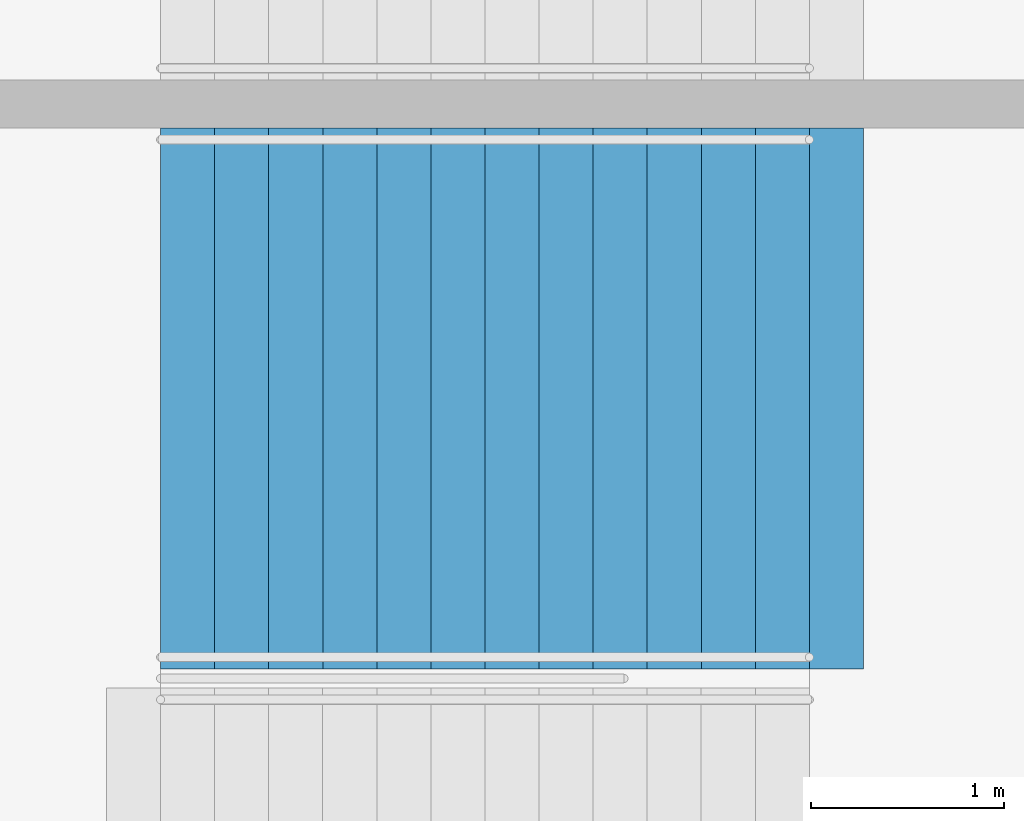
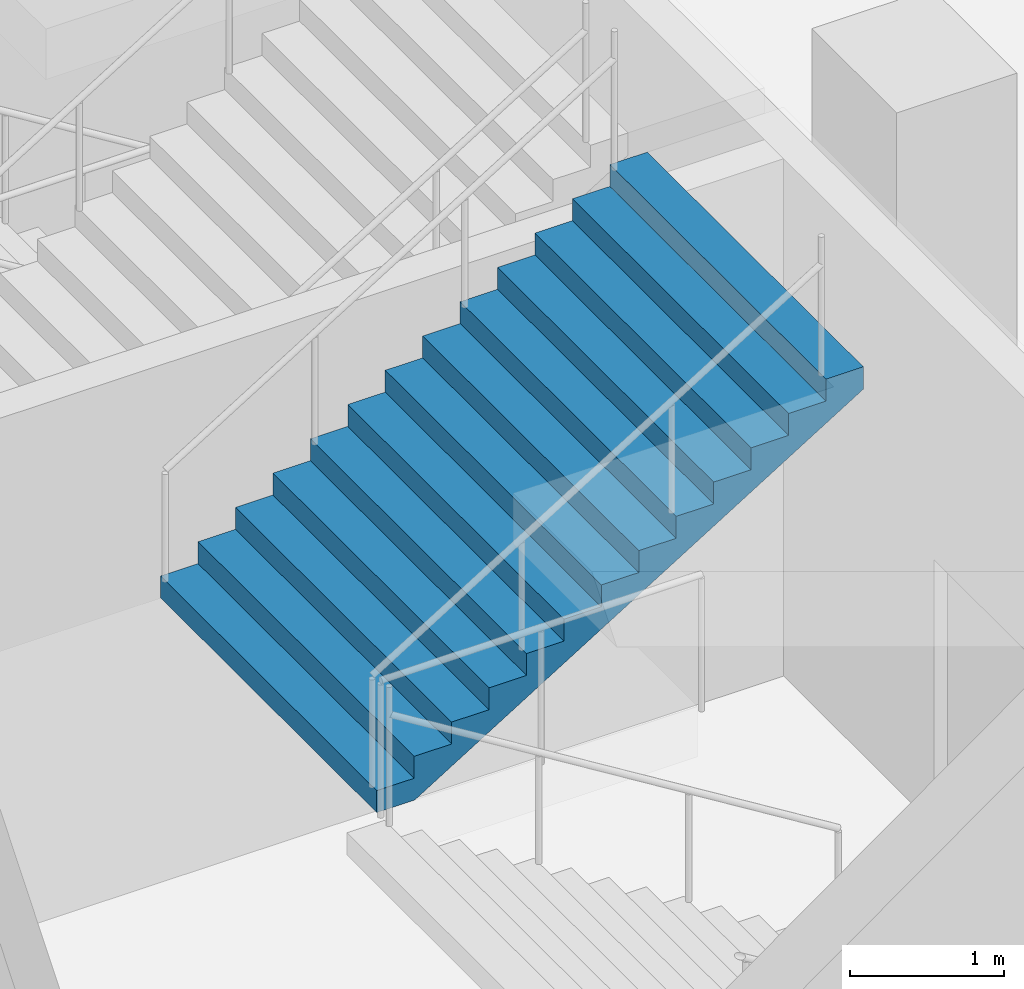
# One storey, part 110 of 175: 1 stair flight, 1 element without a shape of its own.
"""IFC4 building model written with IfcOpenShell, lengths in metres."""

from ifc_helpers import new_model, si_unit, direction, frame, origin, place, context, subcontext, project, spatial, faceted_brep, material, type_object, element, aggregate, save


model = new_model("IFC4")

# Units and contexts
model_context = context("Model", 3, precision=1e-05, world=origin(), true_north=direction((0.0, 1.0)))
body_context = subcontext(model_context, "Body", "Model", "MODEL_VIEW")
ifc_project = project(units=[si_unit("LENGTHUNIT", "METRE"), si_unit("AREAUNIT", "SQUARE_METRE"), si_unit("VOLUMEUNIT", "CUBIC_METRE"), si_unit("PLANEANGLEUNIT", "RADIAN"), si_unit("MASSUNIT", "GRAM", prefix="KILO")], contexts=[model_context])

# Site, building, storey
site_placement = place(None, origin())
site = spatial("IfcSite", under=ifc_project, at=site_placement, CompositionType="ELEMENT")
building_placement = place(site_placement, origin())
building = spatial("IfcBuilding", under=site, at=building_placement, Name="Ogive Plaza Stadium", CompositionType="ELEMENT")
storey_placement = place(building_placement, origin())
storey = spatial("IfcBuildingStorey", under=building, at=storey_placement, Name="L00", CompositionType="ELEMENT", Elevation=0.0)

# Stair, stair flight
ifc_material_1 = material(Name="Concrete C40/50", Category="concrete")
stair_type = type_object("IfcStairType", Name="Exit stair", PredefinedType="STRAIGHT_RUN_STAIR", material=ifc_material_1)
stair_placement = place(storey_placement, origin())
stair = element("IfcStair", 1, at=stair_placement, inside=storey, type_object=stair_type, Name="Exit stair ST28B L00 to L01", PredefinedType="STRAIGHT_RUN_STAIR")
ifc_material_2 = material(Name="Concrete C40/50", Category="concrete")
stair_flight_type = type_object("IfcStairFlightType", Name="Exit stair flight", PredefinedType="STRAIGHT", material=ifc_material_2)
stair_flight_placement = place(storey_placement, frame((-79.7099609375, 50.97509765625, 2.25), z_axis=(0.0, 0.0, 1.0), x_axis=(1.0, 0.0, 0.0)))
stair_flight = element("IfcStairFlight", 2, at=stair_flight_placement, type_object=stair_flight_type, Name="ST28B flight 2", NumberOfRisers=13, NumberOfTreads=12, PredefinedType="STRAIGHT", RiserHeight=0.173076923, TreadLength=0.28, context=body_context, shape_type="Brep", body=[
    faceted_brep([(0.28515625, -1.39990234375, 0.0), (3.639892578125, -1.39990234375, 2.07373046875), (3.639892578125, -1.39990234375, 2.25), (3.360107421875, -1.39990234375, 2.25), (3.360107421875, -1.39990234375, 2.076904296875), (3.080078125, -1.39990234375, 2.076904296875), (3.080078125, -1.39990234375, 1.90380859375), (2.800048828125, -1.39990234375, 1.90380859375), (2.800048828125, -1.39990234375, 1.730712890625), (2.52001953125, -1.39990234375, 1.730712890625), (2.52001953125, -1.39990234375, 1.5576171875), (2.239990234375, -1.39990234375, 1.5576171875), (2.239990234375, -1.39990234375, 1.384521484375), (1.9599609375, -1.39990234375, 1.384521484375), (1.9599609375, -1.39990234375, 1.21142578125), (1.679931640625, -1.39990234375, 1.21142578125), (1.679931640625, -1.39990234375, 1.03857421875), (1.39990234375, -1.39990234375, 1.03857421875), (1.39990234375, -1.39990234375, 0.865478515625), (1.1201171875, -1.39990234375, 0.865478515625), (1.1201171875, -1.39990234375, 0.6923828125), (0.840087890625, -1.39990234375, 0.6923828125), (0.840087890625, -1.39990234375, 0.519287109375), (0.56005859375, -1.39990234375, 0.519287109375), (0.56005859375, -1.39990234375, 0.34619140625), (0.280029296875, -1.39990234375, 0.34619140625), (0.280029296875, -1.39990234375, 0.173095703125), (0.0, -1.39990234375, 0.173095703125), (0.0, -1.39990234375, 0.0), (0.0, 1.39990234375, 0.0), (0.0, 1.39990234375, 0.173095703125), (0.280029296875, 1.39990234375, 0.173095703125), (0.280029296875, 1.39990234375, 0.34619140625), (0.56005859375, 1.39990234375, 0.34619140625), (0.56005859375, 1.39990234375, 0.519287109375), (0.840087890625, 1.39990234375, 0.519287109375), (0.840087890625, 1.39990234375, 0.6923828125), (1.1201171875, 1.39990234375, 0.6923828125), (1.1201171875, 1.39990234375, 0.865478515625), (1.39990234375, 1.39990234375, 0.865478515625), (1.39990234375, 1.39990234375, 1.03857421875), (1.679931640625, 1.39990234375, 1.03857421875), (1.679931640625, 1.39990234375, 1.21142578125), (1.9599609375, 1.39990234375, 1.21142578125), (1.9599609375, 1.39990234375, 1.384521484375), (2.239990234375, 1.39990234375, 1.384521484375), (2.239990234375, 1.39990234375, 1.5576171875), (2.52001953125, 1.39990234375, 1.5576171875), (2.52001953125, 1.39990234375, 1.730712890625), (2.800048828125, 1.39990234375, 1.730712890625), (2.800048828125, 1.39990234375, 1.90380859375), (3.080078125, 1.39990234375, 1.90380859375), (3.080078125, 1.39990234375, 2.076904296875), (3.360107421875, 1.39990234375, 2.076904296875), (3.360107421875, 1.39990234375, 2.25), (3.639892578125, 1.39990234375, 2.25), (3.639892578125, 1.39990234375, 2.07373046875), (0.28515625, 1.39990234375, 0.0), (0.28515625, -1.0888671875, 0.0), (3.639892578125, -1.0888671875, 2.07373046875), (0.28515625, -0.77783203125, 0.0), (3.639892578125, -0.77783203125, 2.07373046875), (0.28515625, -0.466796875, 0.0), (3.639892578125, -0.466796875, 2.07373046875), (0.28515625, -0.155517578125, 0.0), (3.639892578125, -0.155517578125, 2.07373046875), (0.28515625, 0.155517578125, 0.0), (3.639892578125, 0.155517578125, 2.07373046875), (0.28515625, 0.466796875, 0.0), (3.639892578125, 0.466796875, 2.07373046875), (0.28515625, 0.77783203125, 0.0), (3.639892578125, 0.77783203125, 2.07373046875), (0.28515625, 1.0888671875, 0.0), (3.639892578125, 1.0888671875, 2.07373046875), (3.639892578125, -1.0888671875, 2.25), (3.639892578125, -0.77783203125, 2.25), (3.639892578125, -0.466796875, 2.25), (3.639892578125, -0.155517578125, 2.25), (3.639892578125, 0.155517578125, 2.25), (3.639892578125, 0.466796875, 2.25), (3.639892578125, 0.77783203125, 2.25), (3.639892578125, 1.0888671875, 2.25), (3.360107421875, -1.0888671875, 2.25), (3.360107421875, -0.77783203125, 2.25), (3.360107421875, -0.466796875, 2.25), (3.360107421875, -0.155517578125, 2.25), (3.360107421875, 0.155517578125, 2.25), (3.360107421875, 0.466796875, 2.25), (3.360107421875, 0.77783203125, 2.25), (3.360107421875, 1.0888671875, 2.25), (3.360107421875, -1.0888671875, 2.076904296875), (3.360107421875, -0.77783203125, 2.076904296875), (3.360107421875, -0.466796875, 2.076904296875), (3.360107421875, -0.155517578125, 2.076904296875), (3.360107421875, 0.155517578125, 2.076904296875), (3.360107421875, 0.466796875, 2.076904296875), (3.360107421875, 0.77783203125, 2.076904296875), (3.360107421875, 1.0888671875, 2.076904296875), (3.080078125, -1.0888671875, 2.076904296875), (3.080078125, -0.77783203125, 2.076904296875), (3.080078125, -0.466796875, 2.076904296875), (3.080078125, -0.155517578125, 2.076904296875), (3.080078125, 0.155517578125, 2.076904296875), (3.080078125, 0.466796875, 2.076904296875), (3.080078125, 0.77783203125, 2.076904296875), (3.080078125, 1.0888671875, 2.076904296875), (3.080078125, -1.0888671875, 1.90380859375), (3.080078125, -0.77783203125, 1.90380859375), (3.080078125, -0.466796875, 1.90380859375), (3.080078125, -0.155517578125, 1.90380859375), (3.080078125, 0.155517578125, 1.90380859375), (3.080078125, 0.466796875, 1.90380859375), (3.080078125, 0.77783203125, 1.90380859375), (3.080078125, 1.0888671875, 1.90380859375), (2.800048828125, -1.0888671875, 1.90380859375), (2.800048828125, -0.77783203125, 1.90380859375), (2.800048828125, -0.466796875, 1.90380859375), (2.800048828125, -0.155517578125, 1.90380859375), (2.800048828125, 0.155517578125, 1.90380859375), (2.800048828125, 0.466796875, 1.90380859375), (2.800048828125, 0.77783203125, 1.90380859375), (2.800048828125, 1.0888671875, 1.90380859375), (2.800048828125, -1.0888671875, 1.730712890625), (2.800048828125, -0.77783203125, 1.730712890625), (2.800048828125, -0.466796875, 1.730712890625), (2.800048828125, -0.155517578125, 1.730712890625), (2.800048828125, 0.155517578125, 1.730712890625), (2.800048828125, 0.466796875, 1.730712890625), (2.800048828125, 0.77783203125, 1.730712890625), (2.800048828125, 1.0888671875, 1.730712890625), (2.52001953125, -1.0888671875, 1.730712890625), (2.52001953125, -0.77783203125, 1.730712890625), (2.52001953125, -0.466796875, 1.730712890625), (2.52001953125, -0.155517578125, 1.730712890625), (2.52001953125, 0.155517578125, 1.730712890625), (2.52001953125, 0.466796875, 1.730712890625), (2.52001953125, 0.77783203125, 1.730712890625), (2.52001953125, 1.0888671875, 1.730712890625), (2.52001953125, -1.0888671875, 1.5576171875), (2.52001953125, -0.77783203125, 1.5576171875), (2.52001953125, -0.466796875, 1.5576171875), (2.52001953125, -0.155517578125, 1.5576171875), (2.52001953125, 0.155517578125, 1.5576171875), (2.52001953125, 0.466796875, 1.5576171875), (2.52001953125, 0.77783203125, 1.5576171875), (2.52001953125, 1.0888671875, 1.5576171875), (2.239990234375, -1.0888671875, 1.5576171875), (2.239990234375, -0.77783203125, 1.5576171875), (2.239990234375, -0.466796875, 1.5576171875), (2.239990234375, -0.155517578125, 1.5576171875), (2.239990234375, 0.155517578125, 1.5576171875), (2.239990234375, 0.466796875, 1.5576171875), (2.239990234375, 0.77783203125, 1.5576171875), (2.239990234375, 1.0888671875, 1.5576171875), (2.239990234375, -1.0888671875, 1.384521484375), (2.239990234375, -0.77783203125, 1.384521484375), (2.239990234375, -0.466796875, 1.384521484375), (2.239990234375, -0.155517578125, 1.384521484375), (2.239990234375, 0.155517578125, 1.384521484375), (2.239990234375, 0.466796875, 1.384521484375), (2.239990234375, 0.77783203125, 1.384521484375), (2.239990234375, 1.0888671875, 1.384521484375), (1.9599609375, -1.0888671875, 1.384521484375), (1.9599609375, -0.77783203125, 1.384521484375), (1.9599609375, -0.466796875, 1.384521484375), (1.9599609375, -0.155517578125, 1.384521484375), (1.9599609375, 0.155517578125, 1.384521484375), (1.9599609375, 0.466796875, 1.384521484375), (1.9599609375, 0.77783203125, 1.384521484375), (1.9599609375, 1.0888671875, 1.384521484375), (1.9599609375, -1.0888671875, 1.21142578125), (1.9599609375, -0.77783203125, 1.21142578125), (1.9599609375, -0.466796875, 1.21142578125), (1.9599609375, -0.155517578125, 1.21142578125), (1.9599609375, 0.155517578125, 1.21142578125), (1.9599609375, 0.466796875, 1.21142578125), (1.9599609375, 0.77783203125, 1.21142578125), (1.9599609375, 1.0888671875, 1.21142578125), (1.679931640625, -1.0888671875, 1.21142578125), (1.679931640625, -0.77783203125, 1.21142578125), (1.679931640625, -0.466796875, 1.21142578125), (1.679931640625, -0.155517578125, 1.21142578125), (1.679931640625, 0.155517578125, 1.21142578125), (1.679931640625, 0.466796875, 1.21142578125), (1.679931640625, 0.77783203125, 1.21142578125), (1.679931640625, 1.0888671875, 1.21142578125), (1.679931640625, -1.0888671875, 1.03857421875), (1.679931640625, -0.77783203125, 1.03857421875), (1.679931640625, -0.466796875, 1.03857421875), (1.679931640625, -0.155517578125, 1.03857421875), (1.679931640625, 0.155517578125, 1.03857421875), (1.679931640625, 0.466796875, 1.03857421875), (1.679931640625, 0.77783203125, 1.03857421875), (1.679931640625, 1.0888671875, 1.03857421875), (1.39990234375, -1.0888671875, 1.03857421875), (1.39990234375, -0.77783203125, 1.03857421875), (1.39990234375, -0.466796875, 1.03857421875), (1.39990234375, -0.155517578125, 1.03857421875), (1.39990234375, 0.155517578125, 1.03857421875), (1.39990234375, 0.466796875, 1.03857421875), (1.39990234375, 0.77783203125, 1.03857421875), (1.39990234375, 1.0888671875, 1.03857421875), (1.39990234375, -1.0888671875, 0.865478515625), (1.39990234375, -0.77783203125, 0.865478515625), (1.39990234375, -0.466796875, 0.865478515625), (1.39990234375, -0.155517578125, 0.865478515625), (1.39990234375, 0.155517578125, 0.865478515625), (1.39990234375, 0.466796875, 0.865478515625), (1.39990234375, 0.77783203125, 0.865478515625), (1.39990234375, 1.0888671875, 0.865478515625), (1.1201171875, -1.0888671875, 0.865478515625), (1.1201171875, -0.77783203125, 0.865478515625), (1.1201171875, -0.466796875, 0.865478515625), (1.1201171875, -0.155517578125, 0.865478515625), (1.1201171875, 0.155517578125, 0.865478515625), (1.1201171875, 0.466796875, 0.865478515625), (1.1201171875, 0.77783203125, 0.865478515625), (1.1201171875, 1.0888671875, 0.865478515625), (1.1201171875, -1.0888671875, 0.6923828125), (1.1201171875, -0.77783203125, 0.6923828125), (1.1201171875, -0.466796875, 0.6923828125), (1.1201171875, -0.155517578125, 0.6923828125), (1.1201171875, 0.155517578125, 0.6923828125), (1.1201171875, 0.466796875, 0.6923828125), (1.1201171875, 0.77783203125, 0.6923828125), (1.1201171875, 1.0888671875, 0.6923828125), (0.840087890625, -1.0888671875, 0.6923828125), (0.840087890625, -0.77783203125, 0.6923828125), (0.840087890625, -0.466796875, 0.6923828125), (0.840087890625, -0.155517578125, 0.6923828125), (0.840087890625, 0.155517578125, 0.6923828125), (0.840087890625, 0.466796875, 0.6923828125), (0.840087890625, 0.77783203125, 0.6923828125), (0.840087890625, 1.0888671875, 0.6923828125), (0.840087890625, -1.0888671875, 0.519287109375), (0.840087890625, -0.77783203125, 0.519287109375), (0.840087890625, -0.466796875, 0.519287109375), (0.840087890625, -0.155517578125, 0.519287109375), (0.840087890625, 0.155517578125, 0.519287109375), (0.840087890625, 0.466796875, 0.519287109375), (0.840087890625, 0.77783203125, 0.519287109375), (0.840087890625, 1.0888671875, 0.519287109375), (0.56005859375, -1.0888671875, 0.519287109375), (0.56005859375, -0.77783203125, 0.519287109375), (0.56005859375, -0.466796875, 0.519287109375), (0.56005859375, -0.155517578125, 0.519287109375), (0.56005859375, 0.155517578125, 0.519287109375), (0.56005859375, 0.466796875, 0.519287109375), (0.56005859375, 0.77783203125, 0.519287109375), (0.56005859375, 1.0888671875, 0.519287109375), (0.56005859375, -1.0888671875, 0.34619140625), (0.56005859375, -0.77783203125, 0.34619140625), (0.56005859375, -0.466796875, 0.34619140625), (0.56005859375, -0.155517578125, 0.34619140625), (0.56005859375, 0.155517578125, 0.34619140625), (0.56005859375, 0.466796875, 0.34619140625), (0.56005859375, 0.77783203125, 0.34619140625), (0.56005859375, 1.0888671875, 0.34619140625), (0.280029296875, -1.0888671875, 0.34619140625), (0.280029296875, -0.77783203125, 0.34619140625), (0.280029296875, -0.466796875, 0.34619140625), (0.280029296875, -0.155517578125, 0.34619140625), (0.280029296875, 0.155517578125, 0.34619140625), (0.280029296875, 0.466796875, 0.34619140625), (0.280029296875, 0.77783203125, 0.34619140625), (0.280029296875, 1.0888671875, 0.34619140625), (0.280029296875, -1.0888671875, 0.173095703125), (0.280029296875, -0.77783203125, 0.173095703125), (0.280029296875, -0.466796875, 0.173095703125), (0.280029296875, -0.155517578125, 0.173095703125), (0.280029296875, 0.155517578125, 0.173095703125), (0.280029296875, 0.466796875, 0.173095703125), (0.280029296875, 0.77783203125, 0.173095703125), (0.280029296875, 1.0888671875, 0.173095703125), (0.0, -1.0888671875, 0.173095703125), (0.0, -0.77783203125, 0.173095703125), (0.0, -0.466796875, 0.173095703125), (0.0, -0.155517578125, 0.173095703125), (0.0, 0.155517578125, 0.173095703125), (0.0, 0.466796875, 0.173095703125), (0.0, 0.77783203125, 0.173095703125), (0.0, 1.0888671875, 0.173095703125), (0.0, -1.0888671875, 0.0), (0.0, -0.77783203125, 0.0), (0.0, -0.466796875, 0.0), (0.0, -0.155517578125, 0.0), (0.0, 0.155517578125, 0.0), (0.0, 0.466796875, 0.0), (0.0, 0.77783203125, 0.0), (0.0, 1.0888671875, 0.0)], [[[0, 1, 2, 3, 4, 5, 6, 7, 8, 9, 10, 11, 12, 13, 14, 15, 16, 17, 18, 19, 20, 21, 22, 23, 24, 25, 26, 27, 28]], [[29, 30, 31, 32, 33, 34, 35, 36, 37, 38, 39, 40, 41, 42, 43, 44, 45, 46, 47, 48, 49, 50, 51, 52, 53, 54, 55, 56, 57]], [[0, 58, 59, 1]], [[58, 60, 61, 59]], [[60, 62, 63, 61]], [[62, 64, 65, 63]], [[64, 66, 67, 65]], [[66, 68, 69, 67]], [[68, 70, 71, 69]], [[70, 72, 73, 71]], [[72, 57, 56, 73]], [[1, 59, 74, 2]], [[59, 61, 75, 74]], [[61, 63, 76, 75]], [[63, 65, 77, 76]], [[65, 67, 78, 77]], [[67, 69, 79, 78]], [[69, 71, 80, 79]], [[71, 73, 81, 80]], [[73, 56, 55, 81]], [[2, 74, 82, 3]], [[74, 75, 83, 82]], [[75, 76, 84, 83]], [[76, 77, 85, 84]], [[77, 78, 86, 85]], [[78, 79, 87, 86]], [[79, 80, 88, 87]], [[80, 81, 89, 88]], [[81, 55, 54, 89]], [[3, 82, 90, 4]], [[82, 83, 91, 90]], [[83, 84, 92, 91]], [[84, 85, 93, 92]], [[85, 86, 94, 93]], [[86, 87, 95, 94]], [[87, 88, 96, 95]], [[88, 89, 97, 96]], [[89, 54, 53, 97]], [[4, 90, 98, 5]], [[90, 91, 99, 98]], [[91, 92, 100, 99]], [[92, 93, 101, 100]], [[93, 94, 102, 101]], [[94, 95, 103, 102]], [[95, 96, 104, 103]], [[96, 97, 105, 104]], [[97, 53, 52, 105]], [[5, 98, 106, 6]], [[98, 99, 107, 106]], [[99, 100, 108, 107]], [[100, 101, 109, 108]], [[101, 102, 110, 109]], [[102, 103, 111, 110]], [[103, 104, 112, 111]], [[104, 105, 113, 112]], [[105, 52, 51, 113]], [[6, 106, 114, 7]], [[106, 107, 115, 114]], [[107, 108, 116, 115]], [[108, 109, 117, 116]], [[109, 110, 118, 117]], [[110, 111, 119, 118]], [[111, 112, 120, 119]], [[112, 113, 121, 120]], [[113, 51, 50, 121]], [[7, 114, 122, 8]], [[114, 115, 123, 122]], [[115, 116, 124, 123]], [[116, 117, 125, 124]], [[117, 118, 126, 125]], [[118, 119, 127, 126]], [[119, 120, 128, 127]], [[120, 121, 129, 128]], [[121, 50, 49, 129]], [[8, 122, 130, 9]], [[122, 123, 131, 130]], [[123, 124, 132, 131]], [[124, 125, 133, 132]], [[125, 126, 134, 133]], [[126, 127, 135, 134]], [[127, 128, 136, 135]], [[128, 129, 137, 136]], [[129, 49, 48, 137]], [[9, 130, 138, 10]], [[130, 131, 139, 138]], [[131, 132, 140, 139]], [[132, 133, 141, 140]], [[133, 134, 142, 141]], [[134, 135, 143, 142]], [[135, 136, 144, 143]], [[136, 137, 145, 144]], [[137, 48, 47, 145]], [[10, 138, 146, 11]], [[138, 139, 147, 146]], [[139, 140, 148, 147]], [[140, 141, 149, 148]], [[141, 142, 150, 149]], [[142, 143, 151, 150]], [[143, 144, 152, 151]], [[144, 145, 153, 152]], [[145, 47, 46, 153]], [[11, 146, 154, 12]], [[146, 147, 155, 154]], [[147, 148, 156, 155]], [[148, 149, 157, 156]], [[149, 150, 158, 157]], [[150, 151, 159, 158]], [[151, 152, 160, 159]], [[152, 153, 161, 160]], [[153, 46, 45, 161]], [[12, 154, 162, 13]], [[154, 155, 163, 162]], [[155, 156, 164, 163]], [[156, 157, 165, 164]], [[157, 158, 166, 165]], [[158, 159, 167, 166]], [[159, 160, 168, 167]], [[160, 161, 169, 168]], [[161, 45, 44, 169]], [[13, 162, 170, 14]], [[162, 163, 171, 170]], [[163, 164, 172, 171]], [[164, 165, 173, 172]], [[165, 166, 174, 173]], [[166, 167, 175, 174]], [[167, 168, 176, 175]], [[168, 169, 177, 176]], [[169, 44, 43, 177]], [[14, 170, 178, 15]], [[170, 171, 179, 178]], [[171, 172, 180, 179]], [[172, 173, 181, 180]], [[173, 174, 182, 181]], [[174, 175, 183, 182]], [[175, 176, 184, 183]], [[176, 177, 185, 184]], [[177, 43, 42, 185]], [[15, 178, 186, 16]], [[178, 179, 187, 186]], [[179, 180, 188, 187]], [[180, 181, 189, 188]], [[181, 182, 190, 189]], [[182, 183, 191, 190]], [[183, 184, 192, 191]], [[184, 185, 193, 192]], [[185, 42, 41, 193]], [[16, 186, 194, 17]], [[186, 187, 195, 194]], [[187, 188, 196, 195]], [[188, 189, 197, 196]], [[189, 190, 198, 197]], [[190, 191, 199, 198]], [[191, 192, 200, 199]], [[192, 193, 201, 200]], [[193, 41, 40, 201]], [[17, 194, 202, 18]], [[194, 195, 203, 202]], [[195, 196, 204, 203]], [[196, 197, 205, 204]], [[197, 198, 206, 205]], [[198, 199, 207, 206]], [[199, 200, 208, 207]], [[200, 201, 209, 208]], [[201, 40, 39, 209]], [[18, 202, 210, 19]], [[202, 203, 211, 210]], [[203, 204, 212, 211]], [[204, 205, 213, 212]], [[205, 206, 214, 213]], [[206, 207, 215, 214]], [[207, 208, 216, 215]], [[208, 209, 217, 216]], [[209, 39, 38, 217]], [[19, 210, 218, 20]], [[210, 211, 219, 218]], [[211, 212, 220, 219]], [[212, 213, 221, 220]], [[213, 214, 222, 221]], [[214, 215, 223, 222]], [[215, 216, 224, 223]], [[216, 217, 225, 224]], [[217, 38, 37, 225]], [[20, 218, 226, 21]], [[218, 219, 227, 226]], [[219, 220, 228, 227]], [[220, 221, 229, 228]], [[221, 222, 230, 229]], [[222, 223, 231, 230]], [[223, 224, 232, 231]], [[224, 225, 233, 232]], [[225, 37, 36, 233]], [[21, 226, 234, 22]], [[226, 227, 235, 234]], [[227, 228, 236, 235]], [[228, 229, 237, 236]], [[229, 230, 238, 237]], [[230, 231, 239, 238]], [[231, 232, 240, 239]], [[232, 233, 241, 240]], [[233, 36, 35, 241]], [[22, 234, 242, 23]], [[234, 235, 243, 242]], [[235, 236, 244, 243]], [[236, 237, 245, 244]], [[237, 238, 246, 245]], [[238, 239, 247, 246]], [[239, 240, 248, 247]], [[240, 241, 249, 248]], [[241, 35, 34, 249]], [[23, 242, 250, 24]], [[242, 243, 251, 250]], [[243, 244, 252, 251]], [[244, 245, 253, 252]], [[245, 246, 254, 253]], [[246, 247, 255, 254]], [[247, 248, 256, 255]], [[248, 249, 257, 256]], [[249, 34, 33, 257]], [[24, 250, 258, 25]], [[250, 251, 259, 258]], [[251, 252, 260, 259]], [[252, 253, 261, 260]], [[253, 254, 262, 261]], [[254, 255, 263, 262]], [[255, 256, 264, 263]], [[256, 257, 265, 264]], [[257, 33, 32, 265]], [[25, 258, 266, 26]], [[258, 259, 267, 266]], [[259, 260, 268, 267]], [[260, 261, 269, 268]], [[261, 262, 270, 269]], [[262, 263, 271, 270]], [[263, 264, 272, 271]], [[264, 265, 273, 272]], [[265, 32, 31, 273]], [[26, 266, 274, 27]], [[266, 267, 275, 274]], [[267, 268, 276, 275]], [[268, 269, 277, 276]], [[269, 270, 278, 277]], [[270, 271, 279, 278]], [[271, 272, 280, 279]], [[272, 273, 281, 280]], [[273, 31, 30, 281]], [[27, 274, 282, 28]], [[274, 275, 283, 282]], [[275, 276, 284, 283]], [[276, 277, 285, 284]], [[277, 278, 286, 285]], [[278, 279, 287, 286]], [[279, 280, 288, 287]], [[280, 281, 289, 288]], [[281, 30, 29, 289]], [[28, 282, 58, 0]], [[282, 283, 60, 58]], [[283, 284, 62, 60]], [[284, 285, 64, 62]], [[285, 286, 66, 64]], [[286, 287, 68, 66]], [[287, 288, 70, 68]], [[288, 289, 72, 70]], [[289, 29, 57, 72]]]),
])
aggregate(stair, [stair_flight])

save(model, "model.ifc")
